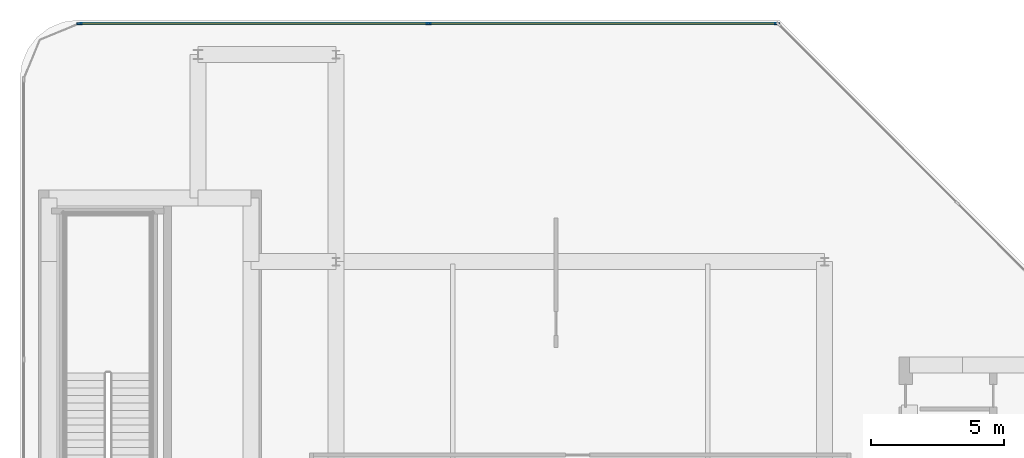
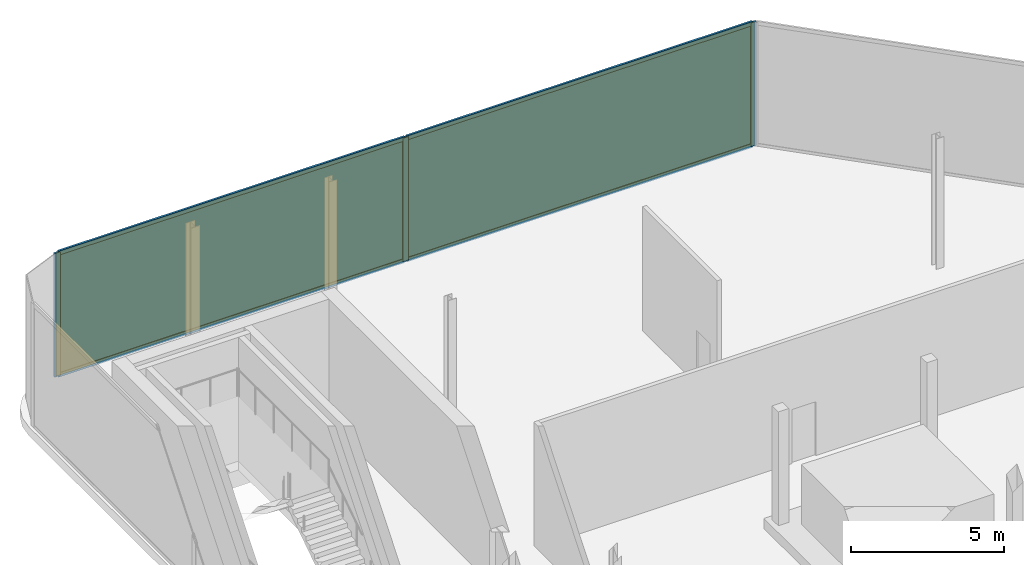
# One storey, part 10 of 14: 7 members, 2 plates, 1 curtain wall.
"""IFC4 building model written with IfcOpenShell, lengths in metres."""

from ifc_helpers import new_model, si_unit, direction, frame, frame_2d, origin, origin_2d, place, context, subcontext, project, spatial, rectangle, extrude, material, layer, layer_set, material_profile, profile_set, type_object, element, aggregate, save


model = new_model("IFC4")

# Units and contexts
model_context = context("Model", 3, precision=1e-05, world=origin(), true_north=direction((0.0, 1.0)))
body_context = subcontext(model_context, "Body", "Model", "MODEL_VIEW")
ifc_project = project(units=[si_unit("LENGTHUNIT", "METRE"), si_unit("AREAUNIT", "SQUARE_METRE"), si_unit("VOLUMEUNIT", "CUBIC_METRE"), si_unit("PLANEANGLEUNIT", "RADIAN"), si_unit("MASSUNIT", "GRAM", prefix="KILO")], contexts=[model_context])

# Member
ifc_material_1 = material(Name="Anodised Bronze Aluminium 6063-T6", Category="aluminium")
ifc_material_profile_1 = material_profile(ifc_material_1, rectangle(XDim=0.074951171875, YDim=0.2099609375, at=origin_2d()))
ifc_profile_set_1 = profile_set([ifc_material_profile_1], Name="Anodised Bronze Aluminium 6063-T6")
member_type_1 = type_object("IfcMemberType", Name="CW-CRN Mullion 75x210", PredefinedType="MULLION", material=ifc_profile_set_1)
site_placement = place(None, origin())
building_placement = place(site_placement, origin())
storey_placement = place(building_placement, frame((0.0, 0.0, 325.199951171875)))
member_1_placement = place(storey_placement, frame((-18.853271484375, 19.760009765625, 0.0), z_axis=(0.0, 0.0, 1.0), x_axis=(0.0, 1.0, 0.0)))
member_1 = element("IfcMember", 1, at=member_1_placement, type_object=member_type_1, Name="CW-CRN mullion 1", PredefinedType="MULLION", context=body_context, shape_type="SweptSolid", body=[
    extrude(rectangle(XDim=0.074951171875, YDim=0.2099609375, at=origin_2d()), origin(), (0.0, 0.0, 1.0), 4.93994140625),
])

member_2_placement = place(storey_placement, frame((-5.724365234375, 19.760009765625, 0.0), z_axis=(0.0, 0.0, 1.0), x_axis=(0.0, 1.0, 0.0)))
member_2 = element("IfcMember", 2, at=member_2_placement, type_object=member_type_1, Name="CW-CRN mullion 2", PredefinedType="MULLION", context=body_context, shape_type="SweptSolid", body=[
    extrude(rectangle(XDim=0.074951171875, YDim=0.2099609375, at=origin_2d()), origin(), (0.0, 0.0, 1.0), 4.93994140625),
])

member_3_placement = place(storey_placement, frame((7.404541015625, 19.760009765625, 0.0), z_axis=(0.0, 0.0, 1.0), x_axis=(0.0, 1.0, 0.0)))
member_3 = element("IfcMember", 3, at=member_3_placement, type_object=member_type_1, Name="CW-CRN mullion 3", PredefinedType="MULLION", context=body_context, shape_type="SweptSolid", body=[
    extrude(rectangle(XDim=0.074951171875, YDim=0.2099609375, at=origin_2d()), origin(), (0.0, 0.0, 1.0), 4.93994140625),
])

ifc_material_2 = material(Name="Anodised Bronze Aluminium 6063-T6", Category="aluminium")
ifc_material_profile_2 = material_profile(ifc_material_2, rectangle(XDim=0.074951171875, YDim=0.1650390625, at=origin_2d()))
ifc_profile_set_2 = profile_set([ifc_material_profile_2], Name="Anodised Bronze Aluminium 6063-T6")
member_type_2 = type_object("IfcMemberType", Name="CW-CRN Transom 75x165", PredefinedType="USERDEFINED", material=ifc_profile_set_2)
member_4_placement = place(storey_placement, frame((-18.81591796875, 19.760009765625, 0.03759765625), z_axis=(1.0, 0.0, 0.0), x_axis=(0.0, 1.0, 0.0)))
member_4 = element("IfcMember", 4, at=member_4_placement, type_object=member_type_2, Name="CW-CRN transom 1.1", ObjectType="TRANSOM", PredefinedType="USERDEFINED", context=body_context, shape_type="SweptSolid", body=[
    extrude(rectangle(XDim=0.074951171875, YDim=0.1650390625, at=origin_2d()), origin(), (0.0, 0.0, 1.0), 13.053955078125),
])

member_5_placement = place(storey_placement, frame((-18.81591796875, 19.760009765625, 4.902587890625), z_axis=(1.0, 0.0, 0.0), x_axis=(0.0, 1.0, 0.0)))
member_5 = element("IfcMember", 5, at=member_5_placement, type_object=member_type_2, Name="CW-CRN transom 1.2", ObjectType="TRANSOM", PredefinedType="USERDEFINED", context=body_context, shape_type="SweptSolid", body=[
    extrude(rectangle(XDim=0.074951171875, YDim=0.1650390625, at=origin_2d()), origin(), (0.0, 0.0, 1.0), 13.053955078125),
])

member_6_placement = place(storey_placement, frame((-5.68701171875, 19.760009765625, 0.03759765625), z_axis=(1.0, 0.0, 0.0), x_axis=(0.0, 1.0, 0.0)))
member_6 = element("IfcMember", 6, at=member_6_placement, type_object=member_type_2, Name="CW-CRN transom 2.1", ObjectType="TRANSOM", PredefinedType="USERDEFINED", context=body_context, shape_type="SweptSolid", body=[
    extrude(rectangle(XDim=0.074951171875, YDim=0.1650390625, at=origin_2d()), origin(), (0.0, 0.0, 1.0), 13.053955078125),
])

member_7_placement = place(storey_placement, frame((-5.68701171875, 19.760009765625, 4.902587890625), z_axis=(1.0, 0.0, 0.0), x_axis=(0.0, 1.0, 0.0)))
member_7 = element("IfcMember", 7, at=member_7_placement, type_object=member_type_2, Name="CW-CRN transom 2.2", ObjectType="TRANSOM", PredefinedType="USERDEFINED", context=body_context, shape_type="SweptSolid", body=[
    extrude(rectangle(XDim=0.074951171875, YDim=0.1650390625, at=origin_2d()), origin(), (0.0, 0.0, 1.0), 13.053955078125),
])

# Plate
ifc_material_3 = material(Name="Low-E Solar Control Laminated Glass", Category="glass")
ifc_layer_1 = layer(ifc_material_3, 0.035888671875, Name="Low-E Solar Control Laminated Glass")
ifc_layer_set_1 = layer_set([ifc_layer_1], Name="Low-E Solar Control Laminated Glass")
plate_type = type_object("IfcPlateType", Name="CW-CRN Low-E Double Glazed Panel 36mm", PredefinedType="CURTAIN_PANEL", material=ifc_layer_set_1)
plate_1_placement = place(storey_placement, frame((-12.288818359375, 19.760009765625, 0.074951171875), z_axis=(0.0, 0.0, 1.0), x_axis=(1.0, 0.0, 0.0)))
plate_1 = element("IfcPlate", 8, at=plate_1_placement, type_object=plate_type, Name="CW-CRN panel 1.1", PredefinedType="CURTAIN_PANEL", context=body_context, shape_type="SweptSolid", body=[
    extrude(rectangle(XDim=13.053955078125, YDim=0.035888671875, at=origin_2d()), origin(), (0.0, 0.0, 1.0), 4.7900390625),
])

plate_2_placement = place(storey_placement, frame((0.840087890625, 19.760009765625, 0.074951171875), z_axis=(0.0, 0.0, 1.0), x_axis=(1.0, 0.0, 0.0)))
plate_2 = element("IfcPlate", 9, at=plate_2_placement, type_object=plate_type, Name="CW-CRN panel 2.1", PredefinedType="CURTAIN_PANEL", context=body_context, shape_type="SweptSolid", body=[
    extrude(rectangle(XDim=13.053955078125, YDim=0.035888671875, at=origin_2d()), origin(), (0.0, 0.0, 1.0), 4.7900390625),
])

# Site, building, storey
site = spatial("IfcSite", under=ifc_project, at=site_placement, CompositionType="ELEMENT")
building = spatial("IfcBuilding", under=site, at=building_placement, Name="Khairoan Windgate Tower", CompositionType="ELEMENT")
storey = spatial("IfcBuildingStorey", under=building, at=storey_placement, Name="L78", CompositionType="ELEMENT", Elevation=325.199951171875)

# Curtain wall
ifc_material_4 = material(Name="Anodised Bronze Aluminium 6063-T6", Category="aluminium")
ifc_layer_2 = layer(ifc_material_4, 0.2099609375, Name="Anodised Bronze Aluminium 6063-T6")
ifc_layer_set_2 = layer_set([ifc_layer_2], Name="Anodised Bronze Aluminium 6063-T6")
curtain_wall_type = type_object("IfcCurtainWallType", Name="Crown Observation and Vitrine Curtain Wall CW-CRN", PredefinedType="NOTDEFINED", material=ifc_layer_set_2)
curtain_wall_placement = place(storey_placement, frame((-18.890869140625, 19.760009765625, 0.0), z_axis=(0.0, 0.0, 1.0), x_axis=(1.0, 0.0, 0.0)))
curtain_wall = element("IfcCurtainWall", 10, at=curtain_wall_placement, inside=storey, type_object=curtain_wall_type, Name="L78 Unitised Curtain Wall 6", PredefinedType="NOTDEFINED", context=body_context, shape_type="SweptSolid", body=[
    extrude(rectangle(XDim=26.332763671875, YDim=0.010009765625, at=frame_2d((13.16650390625, 0.0))), origin(), (0.0, 0.0, 1.0), 4.93994140625),
])

aggregate(curtain_wall, [member_1, member_2, member_3, member_4, member_5, plate_1, member_6, member_7, plate_2])

save(model, "model.ifc")
